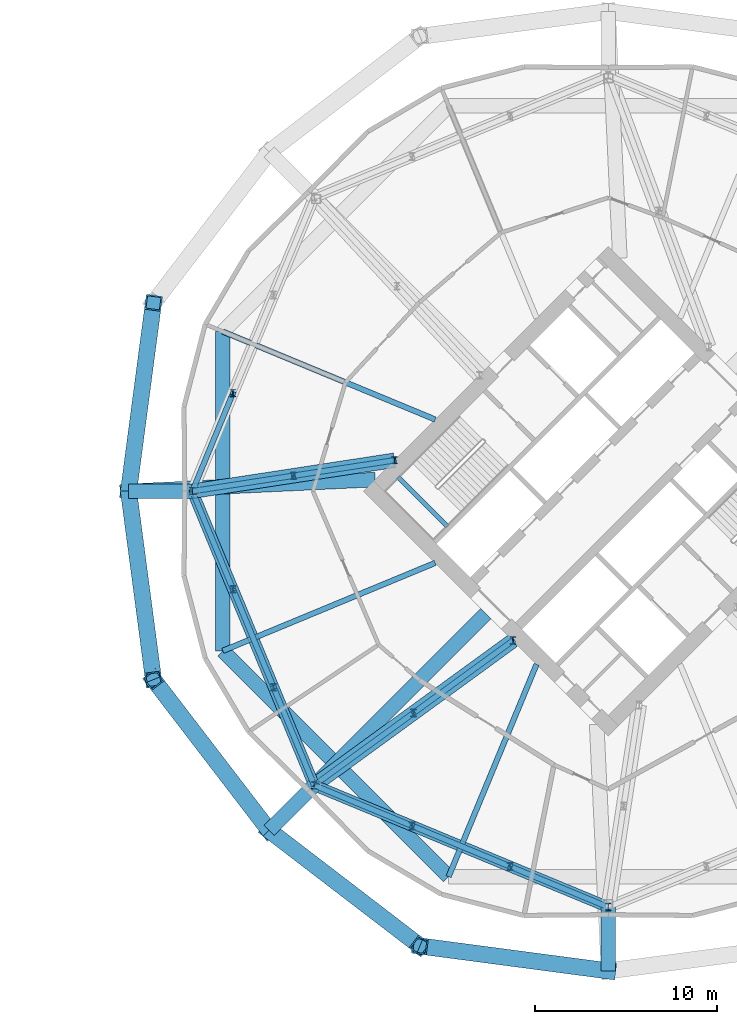
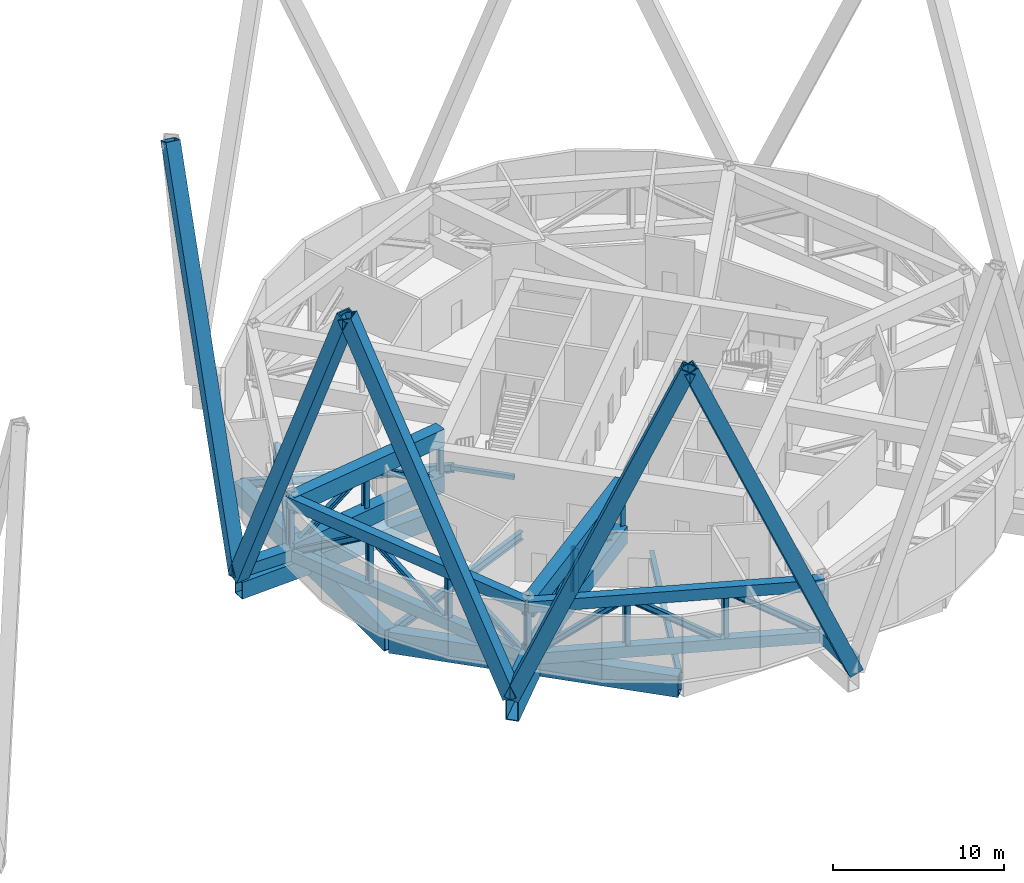
# One storey, part 8 of 21: 36 members, 11 beams.
"""IFC4 building model written with IfcOpenShell, lengths in metres."""

from ifc_helpers import new_model, si_unit, direction, frame, origin, origin_2d, place, context, subcontext, project, spatial, rectangle, hollow_rectangle, i_section, extrude, material, material_profile, profile_set, type_object, element, save


model = new_model("IFC4")

# Units and contexts
model_context = context("Model", 3, precision=1e-05, world=origin(), true_north=direction((0.0, 1.0)))
body_context = subcontext(model_context, "Body", "Model", "MODEL_VIEW")
ifc_project = project(units=[si_unit("LENGTHUNIT", "METRE"), si_unit("AREAUNIT", "SQUARE_METRE"), si_unit("VOLUMEUNIT", "CUBIC_METRE"), si_unit("PLANEANGLEUNIT", "RADIAN"), si_unit("MASSUNIT", "GRAM", prefix="KILO")], contexts=[model_context])

# Site, building, storey
site_placement = place(None, origin())
site = spatial("IfcSite", under=ifc_project, at=site_placement, CompositionType="ELEMENT")
building_placement = place(site_placement, origin())
building = spatial("IfcBuilding", under=site, at=building_placement, Name="Ogive Gate Towers", CompositionType="ELEMENT")
storey_placement = place(building_placement, frame((0.0, 0.0, 71.39990234375)))
storey = spatial("IfcBuildingStorey", under=building, at=storey_placement, Name="L16", CompositionType="ELEMENT", Elevation=71.39990234375)

# Members
ifc_material_1 = material(Name="Steel SM460", Category="steel")
ifc_material_profile_1 = material_profile(ifc_material_1, hollow_rectangle(XDim=0.89990234375, YDim=0.89990234375, WallThickness=0.080078125, at=origin_2d()), Name="BX 900x900x80")
ifc_profile_set_1 = profile_set([ifc_material_profile_1], Name="Steel SM460")
member_type_1 = type_object("IfcMemberType", Name="Diagrid diagonal BX 900x900x80", PredefinedType="BRACE", material=ifc_profile_set_1)
for number, where, z_axis, x_axis, name in (
    (1, (9.669921875, 0.0, 0.0), (0.05169225596, 0.391020203016, 0.918929328897), (-0.991374679477, 0.131058173692, 0.0), "T2/L16/SDG009"),
    (2, (9.669921875, 0.0, 0.0), (0.05169225596, -0.391020203016, 0.918929328897), (0.991374679477, 0.131058173692, 0.0), "T2/L16/SDG010"),
    (3, (17.3818359375, -18.6181640625, 0.0), (-0.239941197331, 0.313043448302, 0.918929823925), (-0.793678314576, -0.608337680052, 0.0), "T2/L16/SDG011"),
    (4, (17.3818359375, -18.6181640625, 0.0), (0.313043448302, -0.239941197331, 0.918929823925), (0.608337680052, 0.793678314576, 0.0), "T2/L16/SDG012"),
    (5, (36.0, -26.330078125, 0.0), (-0.391020203016, 0.05169225596, 0.918929328897), (-0.131058173692, -0.991374679477, 0.0), "T2/L16/SDG013"),
):
    element("IfcMember", number, at=place(storey_placement, frame(where, z_axis=z_axis, x_axis=x_axis)), inside=storey, type_object=member_type_1, Name=name, PredefinedType="BRACE", context=body_context, shape_type="SweptSolid", body=[
        extrude(hollow_rectangle(XDim=0.89990234375, YDim=0.89990234375, WallThickness=0.080078125, at=origin_2d()), origin(), (0.0, 0.0, 1.0), 26.44384765625),
    ])

# Beams
ifc_material_profile_2 = material_profile(ifc_material_1, hollow_rectangle(XDim=0.800048828125, YDim=1.5, WallThickness=0.06005859375, at=origin_2d()), Name="BX 1500x800x60")
ifc_profile_set_2 = profile_set([ifc_material_profile_2], Name="Steel SM460")
beam_type_1 = type_object("IfcBeamType", Name="Edge girder BX 1500x800x60", PredefinedType="BEAM", material=ifc_profile_set_2)
for number, where, z_axis, x_axis, name in (
    (6, (14.84326171875, -8.763427734375, -1.0498046875), (0.707106781187, -0.707106781187, 0.0), (0.707106781187, 0.707106781187, 0.0), "T2/L16/SBM017"),
    (7, (14.84326171875, 8.763427734375, -1.0498046875), (0.0, -1.0, 0.0), (1.0, 0.0, 0.0), "T2/L16/SBM024"),
):
    element("IfcBeam", number, at=place(storey_placement, frame(where, z_axis=z_axis, x_axis=x_axis)), inside=storey, type_object=beam_type_1, Name=name, PredefinedType="BEAM", context=body_context, shape_type="SweptSolid", body=[
        extrude(hollow_rectangle(XDim=0.800048828125, YDim=1.5, WallThickness=0.06005859375, at=origin_2d()), origin(), (0.0, 0.0, 1.0), 17.52685546875),
    ])
ifc_material_2 = material(Name="Concrete C40/50", Category="concrete")
ifc_material_profile_3 = material_profile(ifc_material_2, rectangle(XDim=0.25, YDim=0.300048828125, at=origin_2d()), Name="RC 250x300")
ifc_profile_set_3 = profile_set([ifc_material_profile_3], Name="Concrete C40/50")
beam_type_2 = type_object("IfcBeamType", Name="Landing bearer RC 250x300", PredefinedType="BEAM", material=ifc_profile_set_3)
beam_1_placement = place(storey_placement, frame((24.472412109375, 0.77587890625, 2.050048828125), z_axis=(0.707106781187, -0.707106781187, 0.0), x_axis=(0.707106781187, 0.707106781187, 0.0)))
element("IfcBeam", 8, at=beam_1_placement, inside=storey, type_object=beam_type_2, Name="T2 L16 stair 1 landing bearer 1", PredefinedType="BEAM", context=body_context, shape_type="SweptSolid", body=[
    extrude(rectangle(XDim=0.25, YDim=0.300048828125, at=origin_2d()), origin(), (0.0, 0.0, 1.0), 3.824951171875),
])
ifc_material_profile_4 = material_profile(ifc_material_1, hollow_rectangle(XDim=0.800048828125, YDim=0.800048828125, WallThickness=0.050048828125, at=origin_2d()), Name="BX 800x800x50")
ifc_profile_set_4 = profile_set([ifc_material_profile_4], Name="Steel SM460")
beam_type_3 = type_object("IfcBeamType", Name="Node arm BX 800x800x50", PredefinedType="BEAM", material=ifc_profile_set_4)
for number, where, z_axis, x_axis, name in (
    (9, (13.169921875, 0.0, 0.4501953125), (-1.0, 0.0, 0.0), (0.0, -1.0, 0.0), "T2/L16/SBM029"),
    (10, (19.856689453125, -16.143310546875, 0.4501953125), (-0.707106781187, -0.707106781187, 0.0), (0.707106781187, -0.707106781187, 0.0), "T2/L16/SBM030"),
    (11, (36.0, -22.830078125, 0.4501953125), (0.0, -1.0, 0.0), (1.0, 0.0, 0.0), "T2/L16/SBM031"),
):
    element("IfcBeam", number, at=place(storey_placement, frame(where, z_axis=z_axis, x_axis=x_axis)), inside=storey, type_object=beam_type_3, Name=name, PredefinedType="BEAM", context=body_context, shape_type="SweptSolid", body=[
        extrude(hollow_rectangle(XDim=0.800048828125, YDim=0.800048828125, WallThickness=0.050048828125, at=origin_2d()), origin(), (0.0, 0.0, 1.0), 3.5),
    ])
ifc_material_3 = material(Name="Steel SM355", Category="steel")
ifc_material_profile_5 = material_profile(ifc_material_3, i_section(OverallWidth=0.300048828125, OverallDepth=0.590087890625, WebThickness=0.012939453125, FlangeThickness=0.02490234375, FilletRadius=0.027099609375, at=origin_2d()), Name="HE 600 A")
ifc_profile_set_5 = profile_set([ifc_material_profile_5], Name="Steel SM355")
beam_type_4 = type_object("IfcBeamType", Name="Radial floor beam HE 600 A", PredefinedType="BEAM", material=ifc_profile_set_5)
for number, where, z_axis, x_axis, name in (
    (12, (26.5, -3.93505859375, -0.594970703125), (-0.923879811284, -0.382682759347, 0.0), (0.382682759347, -0.923879811284, 0.0), "T2/L16/SBM001"),
    (13, (32.06494140625, -9.5, -0.594970703125), (-0.382682759347, -0.923879811284, 0.0), (0.923879811284, -0.382682759347, 0.0), "T2/L16/SBM003"),
    (14, (26.5, 3.93505859375, -0.594970703125), (-0.923879811284, 0.382682759347, 0.0), (-0.382682759347, -0.923879811284, 0.0), "T2/L16/SBM015"),
):
    element("IfcBeam", number, at=place(storey_placement, frame(where, z_axis=z_axis, x_axis=x_axis)), inside=storey, type_object=beam_type_4, Name=name, PredefinedType="BEAM", context=body_context, shape_type="SweptSolid", body=[
        extrude(i_section(OverallWidth=0.300048828125, OverallDepth=0.590087890625, WebThickness=0.012939453125, FlangeThickness=0.02490234375, FilletRadius=0.027099609375, at=origin_2d()), origin(), (0.0, 0.0, 1.0), 12.6171875),
    ])
ifc_material_profile_6 = material_profile(ifc_material_1, hollow_rectangle(XDim=0.800048828125, YDim=1.199951171875, WallThickness=0.050048828125, at=origin_2d()), Name="BX 1200x800x50")
ifc_profile_set_6 = profile_set([ifc_material_profile_6], Name="Steel SM460")
beam_type_5 = type_object("IfcBeamType", Name="Transfer radial beam BX 1200x800x50", PredefinedType="BEAM", material=ifc_profile_set_6)
beam_2_placement = place(storey_placement, frame((23.201416015625, 0.636474609375, -0.89990234375), z_axis=(-0.998895614346, -0.046984589384, 0.0), x_axis=(0.046984589384, -0.998895614346, 0.0)))
element("IfcBeam", 15, at=beam_2_placement, inside=storey, type_object=beam_type_5, Name="T2/L16/SBM016", PredefinedType="BEAM", context=body_context, shape_type="SweptSolid", body=[
    extrude(hollow_rectangle(XDim=0.800048828125, YDim=1.199951171875, WallThickness=0.050048828125, at=origin_2d()), origin(), (0.0, 0.0, 1.0), 13.54638671875),
])
ifc_material_profile_7 = material_profile(ifc_material_1, hollow_rectangle(XDim=0.800048828125, YDim=1.5, WallThickness=0.06005859375, at=origin_2d()), Name="BX 1500x800x60")
ifc_profile_set_7 = profile_set([ifc_material_profile_7], Name="Steel SM460")
beam_type_6 = type_object("IfcBeamType", Name="Transfer radial beam BX 1500x800x60", PredefinedType="BEAM", material=ifc_profile_set_7)
beam_3_placement = place(storey_placement, frame((29.282470703125, -6.717529296875, -1.0498046875), z_axis=(-0.707106781187, -0.707106781187, 0.0), x_axis=(0.707106781187, -0.707106781187, 0.0)))
element("IfcBeam", 16, at=beam_3_placement, inside=storey, type_object=beam_type_6, Name="T2/L16/SBM002", PredefinedType="BEAM", context=body_context, shape_type="SweptSolid", body=[
    extrude(hollow_rectangle(XDim=0.800048828125, YDim=1.5, WallThickness=0.06005859375, at=origin_2d()), origin(), (0.0, 0.0, 1.0), 16.830078125),
])

# Members
ifc_material_profile_8 = material_profile(ifc_material_1, hollow_rectangle(XDim=0.800048828125, YDim=1.199951171875, WallThickness=0.050048828125, at=origin_2d()), Name="BX 1200x800x50")
ifc_profile_set_8 = profile_set([ifc_material_profile_8], Name="Steel SM460")
member_type_2 = type_object("IfcMemberType", Name="Truss chord BX 1200x800x50", PredefinedType="CHORD", material=ifc_profile_set_8)
for number, where, z_axis, x_axis, name in (
    (17, (24.261962890625, 1.697021484375, 0.60009765625), (-0.988497874654, -0.151234757263, 0.0), (0.151234757263, -0.988497874654, 0.0), "T2/L16/STR066"),
    (18, (24.261962890625, 1.697021484375, 3.900146484375), (-0.988497874654, -0.151234757263, 0.0), (0.151234757263, -0.988497874654, 0.0), "T2/L16/STR067"),
):
    element("IfcMember", number, at=place(storey_placement, frame(where, z_axis=z_axis, x_axis=x_axis)), inside=storey, type_object=member_type_2, Name=name, PredefinedType="CHORD", context=body_context, shape_type="SweptSolid", body=[
        extrude(hollow_rectangle(XDim=0.800048828125, YDim=1.199951171875, WallThickness=0.050048828125, at=origin_2d()), origin(), (0.0, 0.0, 1.0), 11.22119140625),
    ])
for number, where, z_axis, x_axis, name in (
    (19, (30.767333984375, -8.202392578125, 0.60009765625), (-0.808527927698, -0.588457806586, 0.0), (0.588457806586, -0.808527927698, 0.0), "T2/L16/STR080"),
    (20, (30.767333984375, -8.202392578125, 3.900146484375), (-0.808527927698, -0.588457806586, 0.0), (0.588457806586, -0.808527927698, 0.0), "T2/L16/STR081"),
):
    element("IfcMember", number, at=place(storey_placement, frame(where, z_axis=z_axis, x_axis=x_axis)), inside=storey, type_object=member_type_2, Name=name, PredefinedType="CHORD", context=body_context, shape_type="SweptSolid", body=[
        extrude(hollow_rectangle(XDim=0.800048828125, YDim=1.199951171875, WallThickness=0.050048828125, at=origin_2d()), origin(), (0.0, 0.0, 1.0), 13.494384765625),
    ])
ifc_material_profile_9 = material_profile(ifc_material_1, hollow_rectangle(XDim=0.60009765625, YDim=0.800048828125, WallThickness=0.0400390625, at=origin_2d()), Name="BX 800x600x40")
ifc_profile_set_9 = profile_set([ifc_material_profile_9], Name="Steel SM460")
member_type_3 = type_object("IfcMemberType", Name="Truss chord BX 800x600x40", PredefinedType="CHORD", material=ifc_profile_set_9)
for number, where, z_axis, x_axis, name in (
    (21, (13.169921875, 0.0, 0.400146484375), (0.382682914959, -0.923879746828, 0.0), (0.923879746828, 0.382682914959, 0.0), "T2/L16/STR058"),
    (22, (13.169921875, 0.0, 4.10009765625), (0.382682914959, -0.923879746828, 0.0), (0.923879746828, 0.382682914959, 0.0), "T2/L16/STR059"),
    (23, (19.856689453125, -16.143310546875, 0.400146484375), (0.923879746828, -0.382682914959, 0.0), (0.382682914959, 0.923879746828, 0.0), "T2/L16/STR072"),
    (24, (19.856689453125, -16.143310546875, 4.10009765625), (0.923879746828, -0.382682914959, 0.0), (0.382682914959, 0.923879746828, 0.0), "T2/L16/STR073"),
):
    element("IfcMember", number, at=place(storey_placement, frame(where, z_axis=z_axis, x_axis=x_axis)), inside=storey, type_object=member_type_3, Name=name, PredefinedType="CHORD", context=body_context, shape_type="SweptSolid", body=[
        extrude(hollow_rectangle(XDim=0.60009765625, YDim=0.800048828125, WallThickness=0.0400390625, at=origin_2d()), origin(), (0.0, 0.0, 1.0), 17.473388671875),
    ])
ifc_material_profile_10 = material_profile(ifc_material_1, i_section(OverallWidth=0.300048828125, OverallDepth=0.39990234375, WebThickness=0.013427734375, FlangeThickness=0.02392578125, FilletRadius=0.027099609375, at=origin_2d()), Name="HE 400 B")
ifc_profile_set_10 = profile_set([ifc_material_profile_10], Name="Steel SM460")
member_type_4 = type_object("IfcMemberType", Name="Truss diagonal HE 400 B", PredefinedType="BRACE", material=ifc_profile_set_10)
for number, where, z_axis, x_axis, name in (
    (25, (15.39892578125, 5.381103515625, 4.10009765625), (-0.323029212472, -0.779834268576, -0.536200187844), (0.923874806885, -0.382694840836, 0.0), "T2/L16/STR048"),
    (26, (13.169921875, 0.0, 0.400146484375), (0.323029212472, -0.779834268576, 0.536200187844), (0.923874806885, 0.382694840836, 0.0), "T2/L16/STR060"),
    (27, (15.39892578125, -5.381103515625, 4.10009765625), (0.323029212472, -0.779834268576, -0.536200187844), (0.923874806885, 0.382694840836, 0.0), "T2/L16/STR061"),
):
    element("IfcMember", number, at=place(storey_placement, frame(where, z_axis=z_axis, x_axis=x_axis)), inside=storey, type_object=member_type_4, Name=name, PredefinedType="BRACE", context=body_context, shape_type="SweptSolid", body=[
        extrude(i_section(OverallWidth=0.300048828125, OverallDepth=0.39990234375, WebThickness=0.013427734375, FlangeThickness=0.02392578125, FilletRadius=0.027099609375, at=origin_2d()), origin(), (0.0, 0.0, 1.0), 6.900390625),
    ])
member_1_placement = place(storey_placement, frame((17.6279296875, -10.76220703125, 4.10009765625), z_axis=(0.322997522794, -0.779843181061, -0.53620631591), x_axis=(0.923889626408, 0.382659062633, 0.0)))
element("IfcMember", 28, at=member_1_placement, inside=storey, type_object=member_type_4, Name="T2/L16/STR062", PredefinedType="BRACE", context=body_context, shape_type="SweptSolid", body=[
    extrude(i_section(OverallWidth=0.300048828125, OverallDepth=0.39990234375, WebThickness=0.013427734375, FlangeThickness=0.02392578125, FilletRadius=0.027099609375, at=origin_2d()), origin(), (0.0, 0.0, 1.0), 6.900146484375),
])
member_2_placement = place(storey_placement, frame((24.261962890625, 1.697021484375, 0.60009765625), z_axis=(-0.852035462375, -0.130340871269, 0.506997858114), x_axis=(0.151216749764, -0.988500629535, 0.0)))
element("IfcMember", 29, at=member_2_placement, inside=storey, type_object=member_type_4, Name="T2/L16/STR068", PredefinedType="BRACE", context=body_context, shape_type="SweptSolid", body=[
    extrude(i_section(OverallWidth=0.300048828125, OverallDepth=0.39990234375, WebThickness=0.013427734375, FlangeThickness=0.02392578125, FilletRadius=0.027099609375, at=origin_2d()), origin(), (0.0, 0.0, 1.0), 6.509033203125),
])
member_3_placement = place(storey_placement, frame((18.716064453125, 0.8486328125, 3.900146484375), z_axis=(-0.85204157463, -0.130373575446, -0.506979177016), x_axis=(0.151252763819, -0.988495119582, 0.0)))
element("IfcMember", 30, at=member_3_placement, inside=storey, type_object=member_type_4, Name="T2/L16/STR069", PredefinedType="BRACE", context=body_context, shape_type="SweptSolid", body=[
    extrude(i_section(OverallWidth=0.300048828125, OverallDepth=0.39990234375, WebThickness=0.013427734375, FlangeThickness=0.02392578125, FilletRadius=0.027099609375, at=origin_2d()), origin(), (0.0, 0.0, 1.0), 6.50927734375),
])
member_4_placement = place(storey_placement, frame((19.856689453125, -16.143310546875, 0.400146484375), z_axis=(0.779843181061, -0.322997522794, 0.53620631591), x_axis=(0.382659062633, 0.923889626408, 0.0)))
element("IfcMember", 31, at=member_4_placement, inside=storey, type_object=member_type_4, Name="T2/L16/STR074", PredefinedType="BRACE", context=body_context, shape_type="SweptSolid", body=[
    extrude(i_section(OverallWidth=0.300048828125, OverallDepth=0.39990234375, WebThickness=0.013427734375, FlangeThickness=0.02392578125, FilletRadius=0.027099609375, at=origin_2d()), origin(), (0.0, 0.0, 1.0), 6.900146484375),
])
for number, where, z_axis, x_axis, name in (
    (32, (25.23779296875, -18.3720703125, 4.10009765625), (0.779834268576, -0.323029212472, -0.536200187844), (0.382694840836, 0.923874806885, 0.0), "T2/L16/STR075"),
    (33, (30.618896484375, -20.60107421875, 4.10009765625), (0.779834268576, -0.323029212472, -0.536200187844), (0.382694840836, 0.923874806885, 0.0), "T2/L16/STR076"),
):
    element("IfcMember", number, at=place(storey_placement, frame(where, z_axis=z_axis, x_axis=x_axis)), inside=storey, type_object=member_type_4, Name=name, PredefinedType="BRACE", context=body_context, shape_type="SweptSolid", body=[
        extrude(i_section(OverallWidth=0.300048828125, OverallDepth=0.39990234375, WebThickness=0.013427734375, FlangeThickness=0.02392578125, FilletRadius=0.027099609375, at=origin_2d()), origin(), (0.0, 0.0, 1.0), 6.900390625),
    ])
for number, where, z_axis, x_axis, name in (
    (34, (30.767333984375, -8.202392578125, 0.60009765625), (-0.726309199466, -0.528617879208, 0.439360995712), (0.588457806586, -0.808527927698, 0.0), "T2/L16/STR082"),
    (35, (25.31201171875, -12.1728515625, 3.900146484375), (-0.726309199466, -0.528617879208, -0.439360995712), (0.588457806586, -0.808527927698, 0.0), "T2/L16/STR083"),
):
    element("IfcMember", number, at=place(storey_placement, frame(where, z_axis=z_axis, x_axis=x_axis)), inside=storey, type_object=member_type_4, Name=name, PredefinedType="BRACE", context=body_context, shape_type="SweptSolid", body=[
        extrude(i_section(OverallWidth=0.300048828125, OverallDepth=0.39990234375, WebThickness=0.013427734375, FlangeThickness=0.02392578125, FilletRadius=0.027099609375, at=origin_2d()), origin(), (0.0, 0.0, 1.0), 7.510986328125),
    ])
ifc_material_profile_11 = material_profile(ifc_material_1, i_section(OverallWidth=0.300048828125, OverallDepth=0.39990234375, WebThickness=0.013427734375, FlangeThickness=0.02392578125, FilletRadius=0.027099609375, at=origin_2d()), Name="HE 400 B")
ifc_profile_set_11 = profile_set([ifc_material_profile_11], Name="Steel SM460")
member_type_5 = type_object("IfcMemberType", Name="Truss post HE 400 B", PredefinedType="POST", material=ifc_profile_set_11)
for number, where, z_axis, x_axis, name in (
    (36, (15.39892578125, 5.381103515625, 0.400146484375), (0.0, 0.0, 1.0), (1.0, 0.0, 0.0), "T2/L16/STR050"),
    (37, (13.169921875, 0.0, 0.400146484375), (0.0, 0.0, 1.0), (1.0, 0.0, 0.0), "T2/L16/STR051"),
    (38, (15.39892578125, -5.381103515625, 0.400146484375), (0.0, 0.0, 1.0), (1.0, 0.0, 0.0), "T2/L16/STR063"),
    (39, (17.6279296875, -10.76220703125, 0.400146484375), (0.0, 0.0, 1.0), (1.0, 0.0, 0.0), "T2/L16/STR064"),
    (40, (19.856689453125, -16.143310546875, 0.400146484375), (0.0, 0.0, 1.0), (1.0, 0.0, 0.0), "T2/L16/STR065"),
):
    element("IfcMember", number, at=place(storey_placement, frame(where, z_axis=z_axis, x_axis=x_axis)), inside=storey, type_object=member_type_5, Name=name, PredefinedType="POST", context=body_context, shape_type="SweptSolid", body=[
        extrude(i_section(OverallWidth=0.300048828125, OverallDepth=0.39990234375, WebThickness=0.013427734375, FlangeThickness=0.02392578125, FilletRadius=0.027099609375, at=origin_2d()), origin(), (0.0, 0.0, 1.0), 3.699951171875),
    ])
for number, where, z_axis, x_axis, name in (
    (41, (24.261962890625, 1.697021484375, 0.60009765625), (0.0, 0.0, 1.0), (1.0, 0.0, 0.0), "T2/L16/STR070"),
    (42, (18.716064453125, 0.8486328125, 0.60009765625), (0.0, 0.0, 1.0), (1.0, 0.0, 0.0), "T2/L16/STR071"),
):
    element("IfcMember", number, at=place(storey_placement, frame(where, z_axis=z_axis, x_axis=x_axis)), inside=storey, type_object=member_type_5, Name=name, PredefinedType="POST", context=body_context, shape_type="SweptSolid", body=[
        extrude(i_section(OverallWidth=0.300048828125, OverallDepth=0.39990234375, WebThickness=0.013427734375, FlangeThickness=0.02392578125, FilletRadius=0.027099609375, at=origin_2d()), origin(), (0.0, 0.0, 1.0), 3.300048828125),
    ])
for number, where, z_axis, x_axis, name in (
    (43, (25.23779296875, -18.3720703125, 0.400146484375), (0.0, 0.0, 1.0), (1.0, 0.0, 0.0), "T2/L16/STR077"),
    (44, (30.618896484375, -20.60107421875, 0.400146484375), (0.0, 0.0, 1.0), (1.0, 0.0, 0.0), "T2/L16/STR078"),
    (45, (36.0, -22.830078125, 0.400146484375), (0.0, 0.0, 1.0), (1.0, 0.0, 0.0), "T2/L16/STR079"),
):
    element("IfcMember", number, at=place(storey_placement, frame(where, z_axis=z_axis, x_axis=x_axis)), inside=storey, type_object=member_type_5, Name=name, PredefinedType="POST", context=body_context, shape_type="SweptSolid", body=[
        extrude(i_section(OverallWidth=0.300048828125, OverallDepth=0.39990234375, WebThickness=0.013427734375, FlangeThickness=0.02392578125, FilletRadius=0.027099609375, at=origin_2d()), origin(), (0.0, 0.0, 1.0), 3.699951171875),
    ])
for number, where, z_axis, x_axis, name in (
    (46, (30.767333984375, -8.202392578125, 0.60009765625), (0.0, 0.0, 1.0), (1.0, 0.0, 0.0), "T2/L16/STR084"),
    (47, (25.31201171875, -12.1728515625, 0.60009765625), (0.0, 0.0, 1.0), (1.0, 0.0, 0.0), "T2/L16/STR085"),
):
    element("IfcMember", number, at=place(storey_placement, frame(where, z_axis=z_axis, x_axis=x_axis)), inside=storey, type_object=member_type_5, Name=name, PredefinedType="POST", context=body_context, shape_type="SweptSolid", body=[
        extrude(i_section(OverallWidth=0.300048828125, OverallDepth=0.39990234375, WebThickness=0.013427734375, FlangeThickness=0.02392578125, FilletRadius=0.027099609375, at=origin_2d()), origin(), (0.0, 0.0, 1.0), 3.300048828125),
    ])

save(model, "model.ifc")
